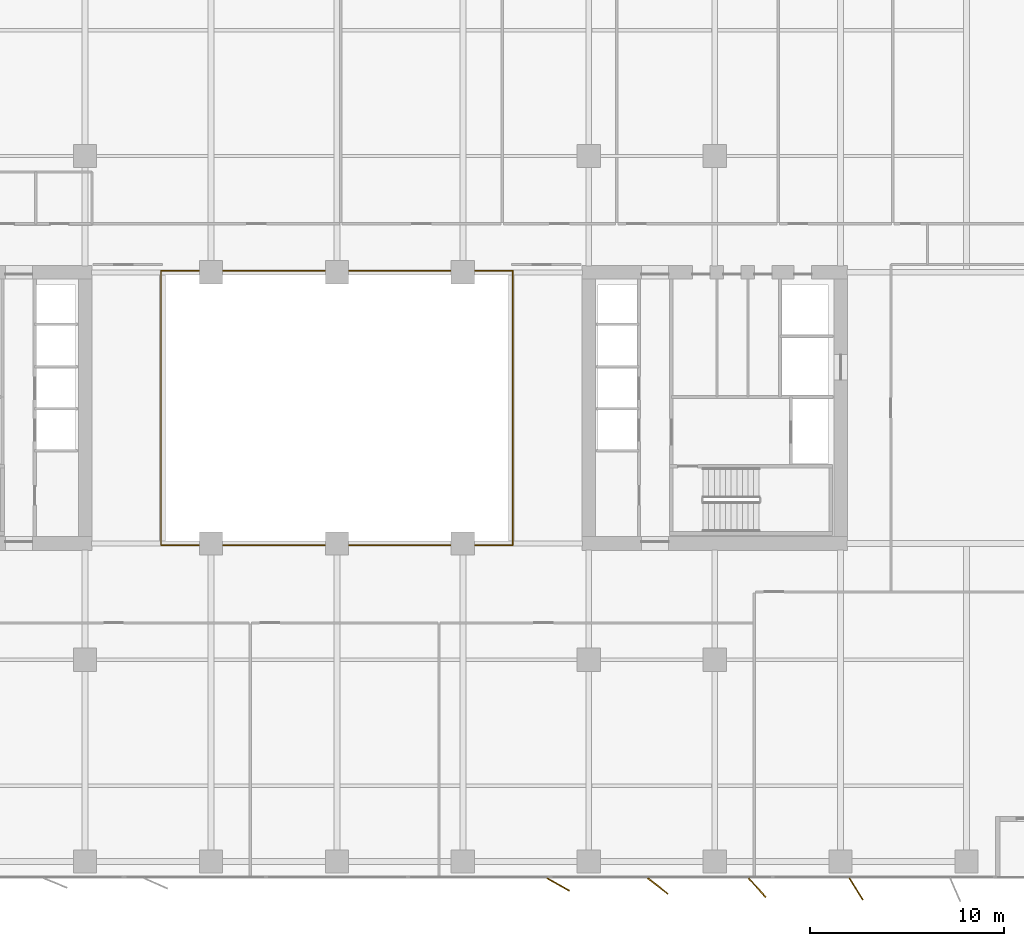
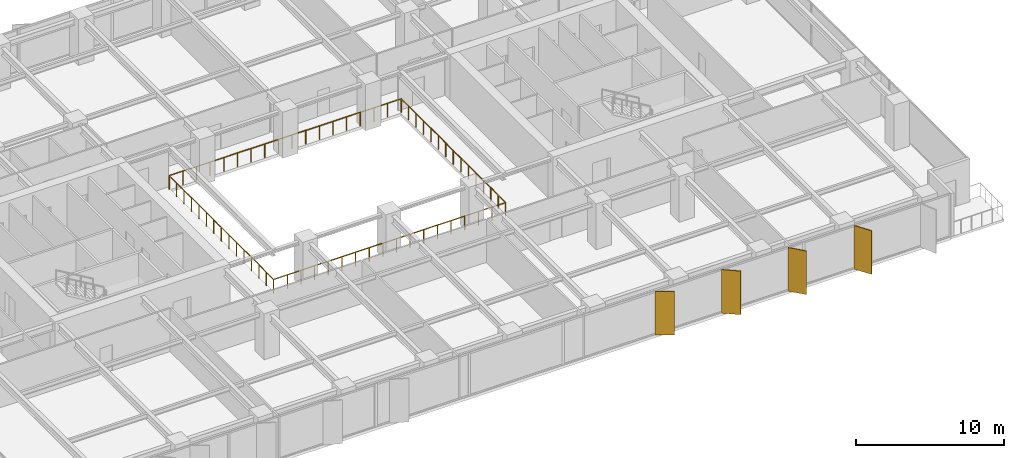
# One storey, part 18 of 20: 4 shading devices, 2 railings.
"""IFC4 building model written with IfcOpenShell, lengths in metres."""

import ifcopenshell
import ifcopenshell.guid

model = None  # the IFC model being written
_history = None  # IfcOwnerHistory: only IFC2X3 demands one
_inside = {}  # id of a spatial element -> (the spatial element, [elements in it])
_under = {}  # id of a project, library or spatial element -> (it, [spatial elements below it])
_declared = {}  # id of a project -> (the project, [libraries it declares])
_typed = {}  # id of a type object -> (the type object, [elements of that type])
_made_of = {}  # id of a material, layer set ... -> (it, [elements and type objects made of it])


def new_model(schema):
    """Start an empty IFC model of exactly this schema.

    Asked for "IFC4X3", IfcOpenShell would pick the latest addendum, in which some entities
    have other attributes; the version numbers below select the first issue.
    IFC2X3 requires an IfcOwnerHistory on every rooted entity: one is made here for all.
    """
    global model, _history
    if schema == "IFC4X3":
        model = ifcopenshell.file(schema_version=(4, 3, 0, 0))
    else:
        model = ifcopenshell.file(schema=schema)
    _inside.clear()
    _under.clear()
    _declared.clear()
    _typed.clear()
    _made_of.clear()
    _history = None
    if model.schema == "IFC2X3":
        org = make("IfcOrganization", Name="unknown")
        user = make(
            "IfcPersonAndOrganization",
            ThePerson=make("IfcPerson", FamilyName="unknown"),
            TheOrganization=org,
        )
        app = make(
            "IfcApplication",
            ApplicationDeveloper=org,
            Version="unknown",
            ApplicationFullName="unknown",
            ApplicationIdentifier="unknown",
        )
        _history = make(
            "IfcOwnerHistory",
            OwningUser=user,
            OwningApplication=app,
            ChangeAction="ADDED",
            CreationDate=0,
        )
    return model


def make(cls, **values):
    """One entity of the class cls with the attributes given. An attribute that is None is left unset."""
    return model.create_entity(
        cls, **{name: value for name, value in values.items() if value is not None}
    )


def rooted(cls, **values):
    """An entity with a GlobalId (a new one), such as an element, a storey or a relation."""
    return make(cls, GlobalId=ifcopenshell.guid.new(), OwnerHistory=_history, **values)


def si_unit(unit_type, name, prefix=None):
    """IfcSIUnit, for example si_unit("LENGTHUNIT", "METRE", prefix="MILLI")."""
    return make("IfcSIUnit", UnitType=unit_type, Prefix=prefix, Name=name)


def assignment(units):
    """IfcUnitAssignment: the units of a project."""
    return None if units is None else make("IfcUnitAssignment", Units=units)


def point(xyz):
    """IfcCartesianPoint."""
    return None if xyz is None else make("IfcCartesianPoint", Coordinates=xyz)


def direction(xyz):
    """IfcDirection."""
    return None if xyz is None else make("IfcDirection", DirectionRatios=xyz)


def frame(location, z_axis=None, x_axis=None):
    """IfcAxis2Placement3D, a coordinate frame: its origin and axes. An axis left out is left unset."""
    return make(
        "IfcAxis2Placement3D",
        Location=point(location),
        Axis=direction(z_axis),
        RefDirection=direction(x_axis),
    )


def frame_2d(location, x_axis=None):
    """IfcAxis2Placement2D, a coordinate frame in the plane: its origin and x axis."""
    return make(
        "IfcAxis2Placement2D", Location=point(location), RefDirection=direction(x_axis)
    )


def origin():
    """The frame at (0, 0, 0) with its axes left unset."""
    return frame((0.0, 0.0, 0.0))


def origin_2d():
    """The frame at (0, 0) in the plane with its x axis left unset."""
    return frame_2d((0.0, 0.0))


def place(relative_to, where):
    """IfcLocalPlacement: puts the frame where relative to a parent placement (None: the world)."""
    return make(
        "IfcLocalPlacement", PlacementRelTo=relative_to, RelativePlacement=where
    )


def context(
    kind, dimensions, precision=None, world=None, true_north=None, identifier=None
):
    """IfcGeometricRepresentationContext, for example the 3D "Model" context."""
    return make(
        "IfcGeometricRepresentationContext",
        ContextIdentifier=identifier,
        ContextType=kind,
        CoordinateSpaceDimension=dimensions,
        Precision=precision,
        WorldCoordinateSystem=world,
        TrueNorth=true_north,
    )


def subcontext(parent, identifier, kind, view, scale=None):
    """IfcGeometricRepresentationSubContext, for example "Body" below "Model"."""
    return make(
        "IfcGeometricRepresentationSubContext",
        ContextIdentifier=identifier,
        ContextType=kind,
        ParentContext=parent,
        TargetScale=scale,
        TargetView=view,
    )


def project(units=None, contexts=None):
    """IfcProject with its units and contexts."""
    return rooted(
        "IfcProject",
        Name="project",
        RepresentationContexts=contexts,
        UnitsInContext=assignment(units),
    )


def spatial(cls, under=None, at=None, **own):
    """A site, building, storey or space (cls), placed at a placement, below another one or the project."""
    s = rooted(cls, ObjectPlacement=at, **own)
    if under is not None:
        _under.setdefault(under.id(), (under, []))[1].append(s)
    return s


def profile(cls, at=None, kind="AREA", **sizes):
    """A parametric profile (cls). Its sizes go by their IFC names, for example OverallWidth=200.0."""
    return make(cls, ProfileType=kind, Position=at, **sizes)


def rectangle(**sizes):
    """IfcRectangleProfileDef."""
    return profile("IfcRectangleProfileDef", **sizes)


def circle(**sizes):
    """IfcCircleProfileDef."""
    return profile("IfcCircleProfileDef", **sizes)


def extrude(swept, where, along, depth):
    """IfcExtrudedAreaSolid: the profile swept, set in the frame where, extruded along a direction by depth."""
    return make(
        "IfcExtrudedAreaSolid",
        SweptArea=swept,
        Position=where,
        ExtrudedDirection=direction(along),
        Depth=depth,
    )


def shape(context_of_items, identifier, shape_type, items):
    """IfcShapeRepresentation: the items that make up one representation, for example the "Body"."""
    return make(
        "IfcShapeRepresentation",
        ContextOfItems=context_of_items,
        RepresentationIdentifier=identifier,
        RepresentationType=shape_type,
        Items=items,
    )


def material(Name=None, Category=None):
    """IfcMaterial."""
    return make("IfcMaterial", Name=Name, Category=Category)


def layer(
    of_material, thickness, ventilated=None, Name=None, Category=None, Priority=None
):
    """IfcMaterialLayer: one layer of a wall or slab, of a material (None: an air gap)."""
    return make(
        "IfcMaterialLayer",
        Material=of_material,
        LayerThickness=thickness,
        IsVentilated=ventilated,
        Name=Name,
        Category=Category,
        Priority=Priority,
    )


def layer_set(layers, Name=None):
    """IfcMaterialLayerSet."""
    return make("IfcMaterialLayerSet", MaterialLayers=layers, LayerSetName=Name)


def made_of(thing, what):
    """Note that an element or type object is made of a material, layer set ...; save() writes the relation."""
    if what is not None:
        _made_of.setdefault(what.id(), (what, []))[1].append(thing)
    return thing


def type_object(cls, material=None, **own):
    """A type object (cls), such as IfcWallType, which elements share."""
    return made_of(rooted(cls, **own), material)


def element(
    cls,
    number,
    at=None,
    inside=None,
    cuts=None,
    type_object=None,
    material=None,
    context=None,
    identifier="Body",
    shape_type=None,
    held_by="IfcProductDefinitionShape",
    body=None,
    shapes=None,
    **own,
):
    """One element of the class cls, such as IfcWall. Its Tag is "e" and its number.

    at: its placement. inside: the storey or other place that contains it. cuts: it is an
    opening in that element (IfcRelVoidsElement). A single representation is given by context,
    identifier, shape_type and body (its items); several are given by shapes. held_by: the class
    of the entity that holds the representations. save() writes the other relations.
    """
    e = rooted(cls, Tag="e%d" % number, ObjectPlacement=at, **own)
    if body is not None:
        shapes = [shape(context, identifier, shape_type, body)]
    if shapes is not None:
        e.Representation = make(held_by, Representations=shapes)
    if inside is not None:
        _inside.setdefault(inside.id(), (inside, []))[1].append(e)
    if cuts is not None:
        rooted(
            "IfcRelVoidsElement", RelatingBuildingElement=cuts, RelatedOpeningElement=e
        )
    if type_object is not None:
        _typed.setdefault(type_object.id(), (type_object, []))[1].append(e)
    return made_of(e, material)


def aggregate(whole, parts):
    """IfcRelAggregates: a whole, such as a stair, and the parts it consists of."""
    return rooted("IfcRelAggregates", RelatingObject=whole, RelatedObjects=parts)


def save(model, path):
    """Write the relations noted so far, then the file.

    IfcRelAggregates (storeys below a building ...), IfcRelContainedInSpatialStructure (elements
    in a storey), IfcRelDefinesByType, IfcRelAssociatesMaterial and IfcRelDeclares: one each for
    every whole, place, type object, material and project.
    """
    for whole, parts in _under.values():
        aggregate(whole, parts)
    for where, things in _inside.values():
        rooted(
            "IfcRelContainedInSpatialStructure",
            RelatedElements=things,
            RelatingStructure=where,
        )
    for kind, things in _typed.values():
        rooted("IfcRelDefinesByType", RelatedObjects=things, RelatingType=kind)
    for what, things in _made_of.values():
        rooted("IfcRelAssociatesMaterial", RelatedObjects=things, RelatingMaterial=what)
    for by, libraries in _declared.values():
        rooted("IfcRelDeclares", RelatingContext=by, RelatedDefinitions=libraries)
    model.write(path)


model = new_model("IFC4")

# Units and contexts
model_context = context("Model", 3, precision=1e-05, world=origin(), true_north=direction((0.0, 1.0)))
body_context = subcontext(model_context, "Body", "Model", "MODEL_VIEW")
ifc_project = project(units=[si_unit("LENGTHUNIT", "METRE"), si_unit("AREAUNIT", "SQUARE_METRE"), si_unit("VOLUMEUNIT", "CUBIC_METRE"), si_unit("PLANEANGLEUNIT", "RADIAN"), si_unit("MASSUNIT", "GRAM", prefix="KILO")], contexts=[model_context])

# Site, building, storey
site_placement = place(None, origin())
site = spatial("IfcSite", under=ifc_project, at=site_placement, CompositionType="ELEMENT")
building_placement = place(site_placement, origin())
building = spatial("IfcBuilding", under=site, at=building_placement, Name="Putna Gate Headquarters", CompositionType="ELEMENT")
storey_placement = place(building_placement, frame((0.0, 0.0, 112.60009765625)))
storey = spatial("IfcBuildingStorey", under=building, at=storey_placement, Name="L27", CompositionType="ELEMENT", Elevation=112.60009765625)

# Railings
ifc_material_1 = material(Name="Anodised bronze and laminated glass atrium balustrade", Category="glass")
railing_type = type_object("IfcRailingType", Name="RAIL-ATRIUM-GUARD-1150", PredefinedType="GUARDRAIL", material=ifc_material_1)
railing_1_placement = place(storey_placement, frame((29.919921875, 25.969970703125, 0.0)))
element("IfcRailing", 1, at=railing_1_placement, inside=storey, type_object=railing_type, Name="L27 Central Atrium Glazed Balustrade South", PredefinedType="GUARDRAIL", context=body_context, shape_type="SweptSolid", body=[
    extrude(circle(Radius=0.02392578125, at=origin_2d()), frame((0.0, 0.0, 1.1259765625), z_axis=(0.0, -1.0, 0.0), x_axis=(1.0, 0.0, 0.0)), (0.0, 0.0, 1.0), 7.050048828125),
    extrude(circle(Radius=0.02392578125, at=origin_2d()), frame((0.0, -7.050048828125, 1.1259765625), z_axis=(1.0, 0.0, 0.0), x_axis=(0.0, 1.0, 0.0)), (0.0, 0.0, 1.0), 18.16015625),
    extrude(circle(Radius=0.02392578125, at=origin_2d()), frame((18.16015625, -7.050048828125, 1.1259765625), z_axis=(0.0, 1.0, 0.0), x_axis=(-1.0, 0.0, 0.0)), (0.0, 0.0, 1.0), 7.050048828125),
    extrude(circle(Radius=0.02099609375, at=origin_2d()), origin(), (0.0, 0.0, 1.0), 1.101806640625),
    extrude(circle(Radius=0.02099609375, at=origin_2d()), frame((0.0, -1.007080078125, 0.0)), (0.0, 0.0, 1.0), 1.101806640625),
    extrude(circle(Radius=0.02099609375, at=origin_2d()), frame((0.0, -2.014404296875, 0.0)), (0.0, 0.0, 1.0), 1.101806640625),
    extrude(circle(Radius=0.02099609375, at=origin_2d()), frame((0.0, -3.021484375, 0.0)), (0.0, 0.0, 1.0), 1.101806640625),
    extrude(circle(Radius=0.02099609375, at=origin_2d()), frame((0.0, -4.028564453125, 0.0)), (0.0, 0.0, 1.0), 1.101806640625),
    extrude(circle(Radius=0.02099609375, at=origin_2d()), frame((0.0, -5.03564453125, 0.0)), (0.0, 0.0, 1.0), 1.101806640625),
    extrude(circle(Radius=0.02099609375, at=origin_2d()), frame((0.0, -6.04296875, 0.0)), (0.0, 0.0, 1.0), 1.101806640625),
    extrude(circle(Radius=0.02099609375, at=origin_2d()), frame((0.0, -7.050048828125, 0.0)), (0.0, 0.0, 1.0), 1.101806640625),
    extrude(circle(Radius=0.02099609375, at=origin_2d()), frame((1.068359375, -7.050048828125, 0.0)), (0.0, 0.0, 1.0), 1.101806640625),
    extrude(circle(Radius=0.02099609375, at=origin_2d()), frame((2.136474609375, -7.050048828125, 0.0)), (0.0, 0.0, 1.0), 1.101806640625),
    extrude(circle(Radius=0.02099609375, at=origin_2d()), frame((3.204833984375, -7.050048828125, 0.0)), (0.0, 0.0, 1.0), 1.101806640625),
    extrude(circle(Radius=0.02099609375, at=origin_2d()), frame((4.27294921875, -7.050048828125, 0.0)), (0.0, 0.0, 1.0), 1.101806640625),
    extrude(circle(Radius=0.02099609375, at=origin_2d()), frame((5.34130859375, -7.050048828125, 0.0)), (0.0, 0.0, 1.0), 1.101806640625),
    extrude(circle(Radius=0.02099609375, at=origin_2d()), frame((6.409423828125, -7.050048828125, 0.0)), (0.0, 0.0, 1.0), 1.101806640625),
    extrude(circle(Radius=0.02099609375, at=origin_2d()), frame((7.477783203125, -7.050048828125, 0.0)), (0.0, 0.0, 1.0), 1.101806640625),
    extrude(circle(Radius=0.02099609375, at=origin_2d()), frame((8.5458984375, -7.050048828125, 0.0)), (0.0, 0.0, 1.0), 1.101806640625),
    extrude(circle(Radius=0.02099609375, at=origin_2d()), frame((9.6142578125, -7.050048828125, 0.0)), (0.0, 0.0, 1.0), 1.101806640625),
    extrude(circle(Radius=0.02099609375, at=origin_2d()), frame((10.682373046875, -7.050048828125, 0.0)), (0.0, 0.0, 1.0), 1.101806640625),
    extrude(circle(Radius=0.02099609375, at=origin_2d()), frame((11.750732421875, -7.050048828125, 0.0)), (0.0, 0.0, 1.0), 1.101806640625),
    extrude(circle(Radius=0.02099609375, at=origin_2d()), frame((12.81884765625, -7.050048828125, 0.0)), (0.0, 0.0, 1.0), 1.101806640625),
    extrude(circle(Radius=0.02099609375, at=origin_2d()), frame((13.88720703125, -7.050048828125, 0.0)), (0.0, 0.0, 1.0), 1.101806640625),
    extrude(circle(Radius=0.02099609375, at=origin_2d()), frame((14.955322265625, -7.050048828125, 0.0)), (0.0, 0.0, 1.0), 1.101806640625),
    extrude(circle(Radius=0.02099609375, at=origin_2d()), frame((16.023681640625, -7.050048828125, 0.0)), (0.0, 0.0, 1.0), 1.101806640625),
    extrude(circle(Radius=0.02099609375, at=origin_2d()), frame((17.091796875, -7.050048828125, 0.0)), (0.0, 0.0, 1.0), 1.101806640625),
    extrude(circle(Radius=0.02099609375, at=origin_2d()), frame((18.16015625, -7.050048828125, 0.0)), (0.0, 0.0, 1.0), 1.101806640625),
    extrude(circle(Radius=0.02099609375, at=origin_2d()), frame((18.16015625, -6.04296875, 0.0)), (0.0, 0.0, 1.0), 1.101806640625),
    extrude(circle(Radius=0.02099609375, at=origin_2d()), frame((18.16015625, -5.03564453125, 0.0)), (0.0, 0.0, 1.0), 1.101806640625),
    extrude(circle(Radius=0.02099609375, at=origin_2d()), frame((18.16015625, -4.028564453125, 0.0)), (0.0, 0.0, 1.0), 1.101806640625),
    extrude(circle(Radius=0.02099609375, at=origin_2d()), frame((18.16015625, -3.021484375, 0.0)), (0.0, 0.0, 1.0), 1.101806640625),
    extrude(circle(Radius=0.02099609375, at=origin_2d()), frame((18.16015625, -2.014404296875, 0.0)), (0.0, 0.0, 1.0), 1.101806640625),
    extrude(circle(Radius=0.02099609375, at=origin_2d()), frame((18.16015625, -1.007080078125, 0.0)), (0.0, 0.0, 1.0), 1.101806640625),
    extrude(circle(Radius=0.02099609375, at=origin_2d()), frame((18.16015625, 0.0, 0.0)), (0.0, 0.0, 1.0), 1.101806640625),
])
railing_2_placement = place(storey_placement, frame((48.080078125, 26.030029296875, 0.0)))
element("IfcRailing", 2, at=railing_2_placement, inside=storey, type_object=railing_type, Name="L27 Central Atrium Glazed Balustrade North", PredefinedType="GUARDRAIL", context=body_context, shape_type="SweptSolid", body=[
    extrude(circle(Radius=0.02392578125, at=origin_2d()), frame((0.0, 0.0, 1.1259765625), z_axis=(0.0, 1.0, 0.0), x_axis=(-1.0, 0.0, 0.0)), (0.0, 0.0, 1.0), 7.050048828125),
    extrude(circle(Radius=0.02392578125, at=origin_2d()), frame((0.0, 7.050048828125, 1.1259765625), z_axis=(-1.0, 0.0, 0.0), x_axis=(0.0, -1.0, 0.0)), (0.0, 0.0, 1.0), 18.16015625),
    extrude(circle(Radius=0.02392578125, at=origin_2d()), frame((-18.16015625, 7.050048828125, 1.1259765625), z_axis=(0.0, -1.0, 0.0), x_axis=(1.0, 0.0, 0.0)), (0.0, 0.0, 1.0), 7.050048828125),
    extrude(circle(Radius=0.02099609375, at=origin_2d()), origin(), (0.0, 0.0, 1.0), 1.101806640625),
    extrude(circle(Radius=0.02099609375, at=origin_2d()), frame((0.0, 1.007080078125, 0.0)), (0.0, 0.0, 1.0), 1.101806640625),
    extrude(circle(Radius=0.02099609375, at=origin_2d()), frame((0.0, 2.014404296875, 0.0)), (0.0, 0.0, 1.0), 1.101806640625),
    extrude(circle(Radius=0.02099609375, at=origin_2d()), frame((0.0, 3.021484375, 0.0)), (0.0, 0.0, 1.0), 1.101806640625),
    extrude(circle(Radius=0.02099609375, at=origin_2d()), frame((0.0, 4.028564453125, 0.0)), (0.0, 0.0, 1.0), 1.101806640625),
    extrude(circle(Radius=0.02099609375, at=origin_2d()), frame((0.0, 5.03564453125, 0.0)), (0.0, 0.0, 1.0), 1.101806640625),
    extrude(circle(Radius=0.02099609375, at=origin_2d()), frame((0.0, 6.04296875, 0.0)), (0.0, 0.0, 1.0), 1.101806640625),
    extrude(circle(Radius=0.02099609375, at=origin_2d()), frame((0.0, 7.050048828125, 0.0)), (0.0, 0.0, 1.0), 1.101806640625),
    extrude(circle(Radius=0.02099609375, at=origin_2d()), frame((-1.068359375, 7.050048828125, 0.0)), (0.0, 0.0, 1.0), 1.101806640625),
    extrude(circle(Radius=0.02099609375, at=origin_2d()), frame((-2.136474609375, 7.050048828125, 0.0)), (0.0, 0.0, 1.0), 1.101806640625),
    extrude(circle(Radius=0.02099609375, at=origin_2d()), frame((-3.204833984375, 7.050048828125, 0.0)), (0.0, 0.0, 1.0), 1.101806640625),
    extrude(circle(Radius=0.02099609375, at=origin_2d()), frame((-4.27294921875, 7.050048828125, 0.0)), (0.0, 0.0, 1.0), 1.101806640625),
    extrude(circle(Radius=0.02099609375, at=origin_2d()), frame((-5.34130859375, 7.050048828125, 0.0)), (0.0, 0.0, 1.0), 1.101806640625),
    extrude(circle(Radius=0.02099609375, at=origin_2d()), frame((-6.409423828125, 7.050048828125, 0.0)), (0.0, 0.0, 1.0), 1.101806640625),
    extrude(circle(Radius=0.02099609375, at=origin_2d()), frame((-7.477783203125, 7.050048828125, 0.0)), (0.0, 0.0, 1.0), 1.101806640625),
    extrude(circle(Radius=0.02099609375, at=origin_2d()), frame((-8.5458984375, 7.050048828125, 0.0)), (0.0, 0.0, 1.0), 1.101806640625),
    extrude(circle(Radius=0.02099609375, at=origin_2d()), frame((-9.6142578125, 7.050048828125, 0.0)), (0.0, 0.0, 1.0), 1.101806640625),
    extrude(circle(Radius=0.02099609375, at=origin_2d()), frame((-10.682373046875, 7.050048828125, 0.0)), (0.0, 0.0, 1.0), 1.101806640625),
    extrude(circle(Radius=0.02099609375, at=origin_2d()), frame((-11.750732421875, 7.050048828125, 0.0)), (0.0, 0.0, 1.0), 1.101806640625),
    extrude(circle(Radius=0.02099609375, at=origin_2d()), frame((-12.81884765625, 7.050048828125, 0.0)), (0.0, 0.0, 1.0), 1.101806640625),
    extrude(circle(Radius=0.02099609375, at=origin_2d()), frame((-13.88720703125, 7.050048828125, 0.0)), (0.0, 0.0, 1.0), 1.101806640625),
    extrude(circle(Radius=0.02099609375, at=origin_2d()), frame((-14.955322265625, 7.050048828125, 0.0)), (0.0, 0.0, 1.0), 1.101806640625),
    extrude(circle(Radius=0.02099609375, at=origin_2d()), frame((-16.023681640625, 7.050048828125, 0.0)), (0.0, 0.0, 1.0), 1.101806640625),
    extrude(circle(Radius=0.02099609375, at=origin_2d()), frame((-17.091796875, 7.050048828125, 0.0)), (0.0, 0.0, 1.0), 1.101806640625),
    extrude(circle(Radius=0.02099609375, at=origin_2d()), frame((-18.16015625, 7.050048828125, 0.0)), (0.0, 0.0, 1.0), 1.101806640625),
    extrude(circle(Radius=0.02099609375, at=origin_2d()), frame((-18.16015625, 6.04296875, 0.0)), (0.0, 0.0, 1.0), 1.101806640625),
    extrude(circle(Radius=0.02099609375, at=origin_2d()), frame((-18.16015625, 5.03564453125, 0.0)), (0.0, 0.0, 1.0), 1.101806640625),
    extrude(circle(Radius=0.02099609375, at=origin_2d()), frame((-18.16015625, 4.028564453125, 0.0)), (0.0, 0.0, 1.0), 1.101806640625),
    extrude(circle(Radius=0.02099609375, at=origin_2d()), frame((-18.16015625, 3.021484375, 0.0)), (0.0, 0.0, 1.0), 1.101806640625),
    extrude(circle(Radius=0.02099609375, at=origin_2d()), frame((-18.16015625, 2.014404296875, 0.0)), (0.0, 0.0, 1.0), 1.101806640625),
    extrude(circle(Radius=0.02099609375, at=origin_2d()), frame((-18.16015625, 1.007080078125, 0.0)), (0.0, 0.0, 1.0), 1.101806640625),
    extrude(circle(Radius=0.02099609375, at=origin_2d()), frame((-18.16015625, 0.0, 0.0)), (0.0, 0.0, 1.0), 1.101806640625),
])

# Shading devices
ifc_material_2 = material(Name="Anodised architectural bronze aluminium fin", Category="aluminium")
ifc_layer = layer(ifc_material_2, 0.06494140625)
ifc_layer_set = layer_set([ifc_layer], Name="Anodised architectural bronze aluminium fin")
shading_device_type = type_object("IfcShadingDeviceType", Name="SHADE-BRONZE-FIN-1320", PredefinedType="USERDEFINED", material=ifc_layer_set)
for number, where, z_axis, x_axis, name in (
    (3, (50.423828125, 1.398681640625, -0.02001953125), (0.0, 0.0, 1.0), (0.869322458298, -0.494245347472, 0.0), "L27 Bronze Vertical Shading Fin S8"),
    (4, (55.569580078125, 1.318115234375, -0.02001953125), (0.0, 0.0, 1.0), (0.787473187632, -0.616348909921, 0.0), "L27 Bronze Vertical Shading Fin S9"),
    (5, (60.691650390625, 1.234619140625, -0.02001953125), (0.0, 0.0, 1.0), (0.669130606359, -0.743144825477, 0.0), "L27 Bronze Vertical Shading Fin S10"),
    (6, (65.80029296875, 1.16552734375, -0.02001953125), (0.0, 0.0, 1.0), (0.530659123936, -0.847585331506, 0.0), "L27 Bronze Vertical Shading Fin S11"),
):
    element("IfcShadingDevice", number, at=place(storey_placement, frame(where, z_axis=z_axis, x_axis=x_axis)), inside=storey, type_object=shading_device_type, Name=name, ObjectType="FIN", PredefinedType="USERDEFINED", context=body_context, shape_type="SweptSolid", body=[
        extrude(rectangle(XDim=1.320068359375, YDim=0.06494140625, at=origin_2d()), origin(), (0.0, 0.0, 1.0), 3.60498046875),
    ])

save(model, "model.ifc")
